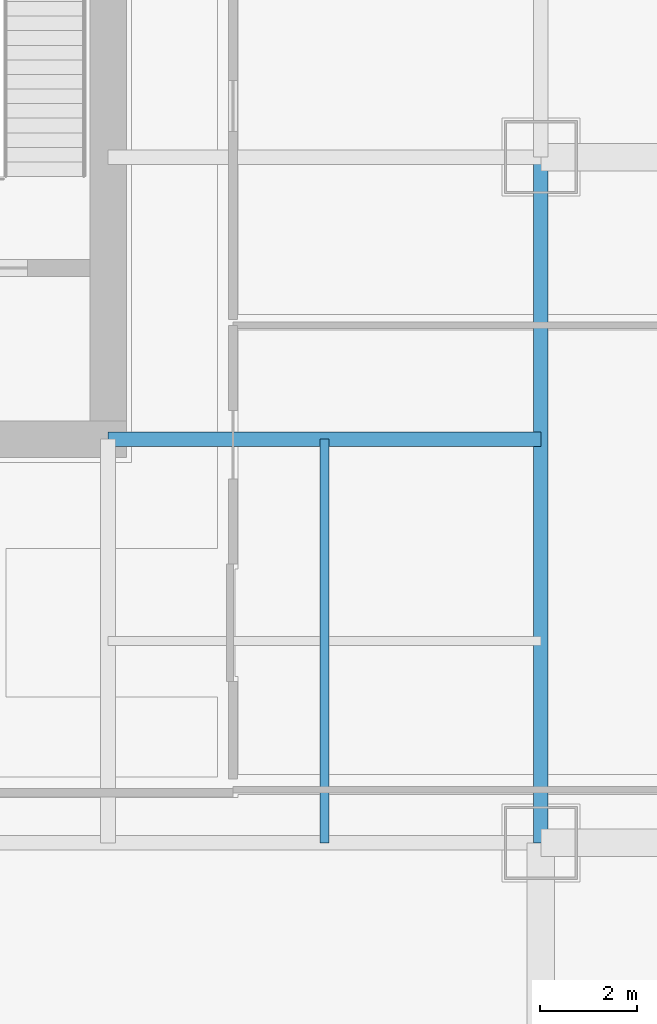
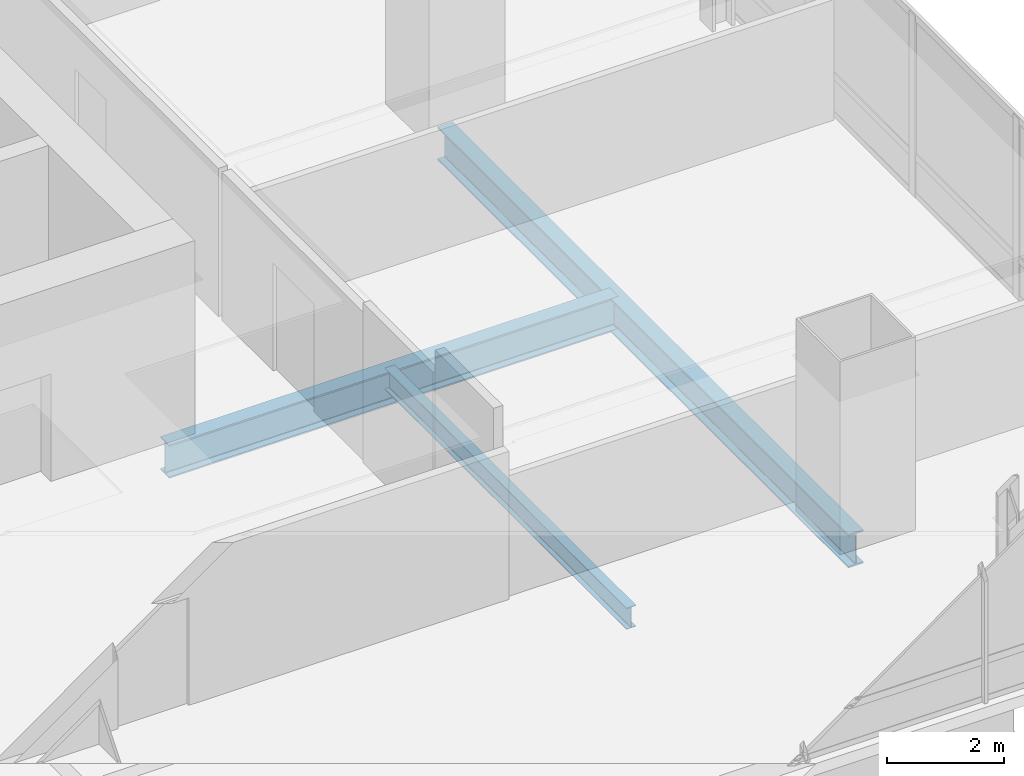
# One storey, part 13 of 35: 3 beams.
"""IFC4 building model written with IfcOpenShell, lengths in metres."""

from ifc_helpers import new_model, si_unit, direction, frame, origin, origin_2d, place, context, subcontext, project, spatial, i_section, extrude, material, material_profile, profile_set, type_object, element, save


model = new_model("IFC4")

# Units and contexts
model_context = context("Model", 3, precision=1e-05, world=origin(), true_north=direction((0.0, 1.0)))
body_context = subcontext(model_context, "Body", "Model", "MODEL_VIEW")
ifc_project = project(units=[si_unit("LENGTHUNIT", "METRE"), si_unit("AREAUNIT", "SQUARE_METRE"), si_unit("VOLUMEUNIT", "CUBIC_METRE"), si_unit("PLANEANGLEUNIT", "RADIAN"), si_unit("MASSUNIT", "GRAM", prefix="KILO")], contexts=[model_context])

# Site, building, storey
site_placement = place(None, origin())
site = spatial("IfcSite", under=ifc_project, at=site_placement, CompositionType="ELEMENT")
building_placement = place(site_placement, origin())
building = spatial("IfcBuilding", under=site, at=building_placement, Name="Punatoya Terracotta Tower", CompositionType="ELEMENT")
storey_placement = place(building_placement, frame((0.0, 0.0, 68.699951171875)))
storey = spatial("IfcBuildingStorey", under=building, at=storey_placement, Name="L15", CompositionType="ELEMENT", Elevation=68.699951171875)

# Beams
ifc_material = material(Name="Steel S355", Category="steel")
ifc_material_profile_1 = material_profile(ifc_material, i_section(OverallWidth=0.300048828125, OverallDepth=0.699951171875, WebThickness=0.01708984375, FlangeThickness=0.031982421875, FilletRadius=0.01806640625, at=origin_2d()))
ifc_profile_set_1 = profile_set([ifc_material_profile_1], Name="Steel S355")
beam_type_1 = type_object("IfcBeamType", Name="BM-PRI-700", PredefinedType="BEAM", material=ifc_profile_set_1)
beam_1_placement = place(storey_placement, frame((19.10009765625, -17.5, -0.58984375), z_axis=(0.0, 1.0, 0.0), x_axis=(-1.0, 0.0, 0.0)))
element("IfcBeam", 1, at=beam_1_placement, inside=storey, type_object=beam_type_1, Name="BM-L15-RG-E1", PredefinedType="BEAM", context=body_context, shape_type="SweptSolid", body=[
    extrude(i_section(OverallWidth=0.300048828125, OverallDepth=0.699951171875, WebThickness=0.01708984375, FlangeThickness=0.031982421875, FilletRadius=0.01806640625, at=origin_2d()), origin(), (0.0, 0.0, 1.0), 14.10009765625),
])
beam_2_placement = place(storey_placement, frame((10.199951171875, -9.199951171875, -0.58984375), z_axis=(1.0, 0.0, 0.0), x_axis=(0.0, 1.0, 0.0)))
element("IfcBeam", 2, at=beam_2_placement, inside=storey, type_object=beam_type_1, Name="BM-L15-PR-ES", PredefinedType="BEAM", context=body_context, shape_type="SweptSolid", body=[
    extrude(i_section(OverallWidth=0.300048828125, OverallDepth=0.699951171875, WebThickness=0.01708984375, FlangeThickness=0.031982421875, FilletRadius=0.01806640625, at=origin_2d()), origin(), (0.0, 0.0, 1.0), 8.900146484375),
])
ifc_material_profile_2 = material_profile(ifc_material, i_section(OverallWidth=0.18994140625, OverallDepth=0.449951171875, WebThickness=0.009521484375, FlangeThickness=0.0146484375, FilletRadius=0.01806640625, at=origin_2d()))
ifc_profile_set_2 = profile_set([ifc_material_profile_2], Name="Steel S355")
beam_type_2 = type_object("IfcBeamType", Name="BM-SEC-450", PredefinedType="JOIST", material=ifc_profile_set_2)
beam_3_placement = place(storey_placement, frame((14.64990234375, -17.5, -0.46484375), z_axis=(0.0, 1.0, 0.0), x_axis=(-1.0, 0.0, 0.0)))
element("IfcBeam", 3, at=beam_3_placement, inside=storey, type_object=beam_type_2, Name="BM-L15-SJE-1", PredefinedType="JOIST", context=body_context, shape_type="SweptSolid", body=[
    extrude(i_section(OverallWidth=0.18994140625, OverallDepth=0.449951171875, WebThickness=0.009521484375, FlangeThickness=0.0146484375, FilletRadius=0.01806640625, at=origin_2d()), origin(), (0.0, 0.0, 1.0), 8.300048828125),
])

save(model, "model.ifc")
